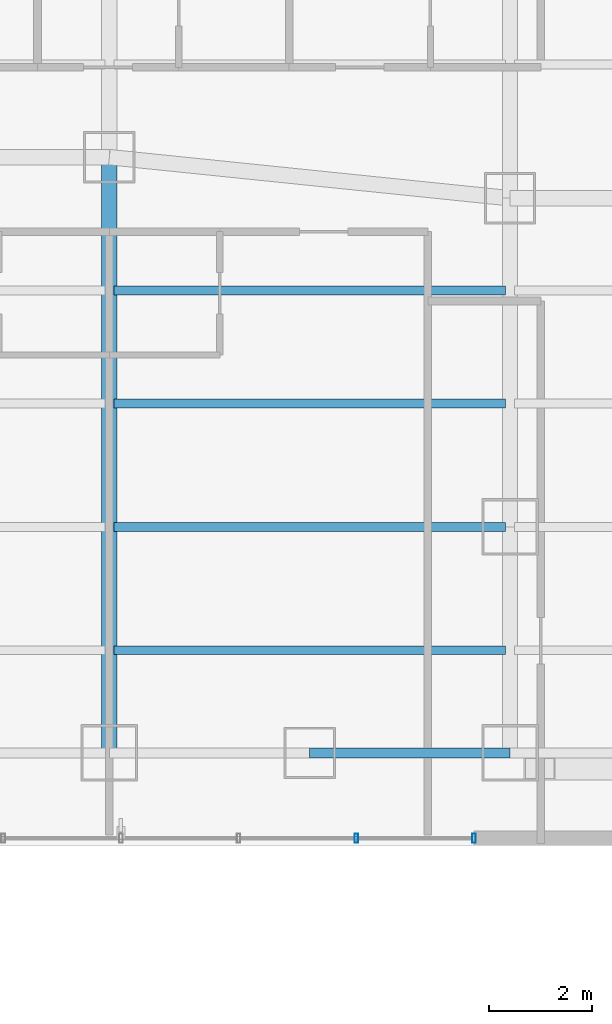
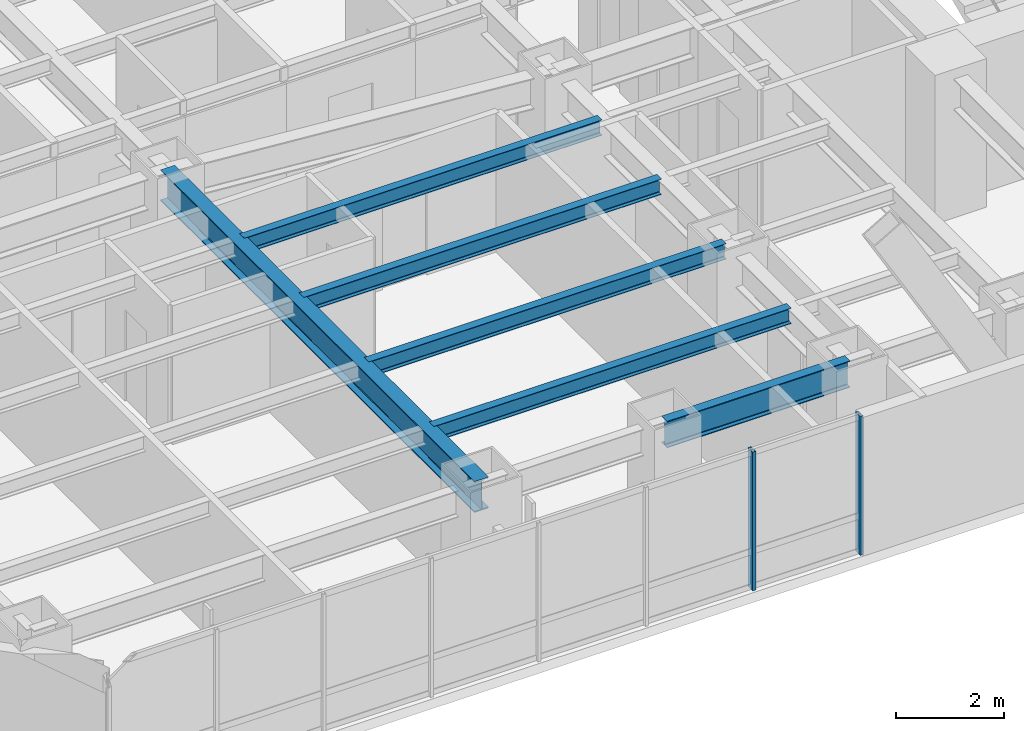
# One storey, part 6 of 32: 6 beams, 2 members, 1 element without a shape of its own.
"""IFC4 building model written with IfcOpenShell, lengths in metres."""

import ifcopenshell
import ifcopenshell.guid

model = None  # the IFC model being written
_history = None  # IfcOwnerHistory: only IFC2X3 demands one
_inside = {}  # id of a spatial element -> (the spatial element, [elements in it])
_under = {}  # id of a project, library or spatial element -> (it, [spatial elements below it])
_declared = {}  # id of a project -> (the project, [libraries it declares])
_typed = {}  # id of a type object -> (the type object, [elements of that type])
_made_of = {}  # id of a material, layer set ... -> (it, [elements and type objects made of it])


def new_model(schema):
    """Start an empty IFC model of exactly this schema.

    Asked for "IFC4X3", IfcOpenShell would pick the latest addendum, in which some entities
    have other attributes; the version numbers below select the first issue.
    IFC2X3 requires an IfcOwnerHistory on every rooted entity: one is made here for all.
    """
    global model, _history
    if schema == "IFC4X3":
        model = ifcopenshell.file(schema_version=(4, 3, 0, 0))
    else:
        model = ifcopenshell.file(schema=schema)
    _inside.clear()
    _under.clear()
    _declared.clear()
    _typed.clear()
    _made_of.clear()
    _history = None
    if model.schema == "IFC2X3":
        org = make("IfcOrganization", Name="unknown")
        user = make(
            "IfcPersonAndOrganization",
            ThePerson=make("IfcPerson", FamilyName="unknown"),
            TheOrganization=org,
        )
        app = make(
            "IfcApplication",
            ApplicationDeveloper=org,
            Version="unknown",
            ApplicationFullName="unknown",
            ApplicationIdentifier="unknown",
        )
        _history = make(
            "IfcOwnerHistory",
            OwningUser=user,
            OwningApplication=app,
            ChangeAction="ADDED",
            CreationDate=0,
        )
    return model


def make(cls, **values):
    """One entity of the class cls with the attributes given. An attribute that is None is left unset."""
    return model.create_entity(
        cls, **{name: value for name, value in values.items() if value is not None}
    )


def rooted(cls, **values):
    """An entity with a GlobalId (a new one), such as an element, a storey or a relation."""
    return make(cls, GlobalId=ifcopenshell.guid.new(), OwnerHistory=_history, **values)


def si_unit(unit_type, name, prefix=None):
    """IfcSIUnit, for example si_unit("LENGTHUNIT", "METRE", prefix="MILLI")."""
    return make("IfcSIUnit", UnitType=unit_type, Prefix=prefix, Name=name)


def assignment(units):
    """IfcUnitAssignment: the units of a project."""
    return None if units is None else make("IfcUnitAssignment", Units=units)


def point(xyz):
    """IfcCartesianPoint."""
    return None if xyz is None else make("IfcCartesianPoint", Coordinates=xyz)


def direction(xyz):
    """IfcDirection."""
    return None if xyz is None else make("IfcDirection", DirectionRatios=xyz)


def frame(location, z_axis=None, x_axis=None):
    """IfcAxis2Placement3D, a coordinate frame: its origin and axes. An axis left out is left unset."""
    return make(
        "IfcAxis2Placement3D",
        Location=point(location),
        Axis=direction(z_axis),
        RefDirection=direction(x_axis),
    )


def frame_2d(location, x_axis=None):
    """IfcAxis2Placement2D, a coordinate frame in the plane: its origin and x axis."""
    return make(
        "IfcAxis2Placement2D", Location=point(location), RefDirection=direction(x_axis)
    )


def origin():
    """The frame at (0, 0, 0) with its axes left unset."""
    return frame((0.0, 0.0, 0.0))


def origin_2d():
    """The frame at (0, 0) in the plane with its x axis left unset."""
    return frame_2d((0.0, 0.0))


def place(relative_to, where):
    """IfcLocalPlacement: puts the frame where relative to a parent placement (None: the world)."""
    return make(
        "IfcLocalPlacement", PlacementRelTo=relative_to, RelativePlacement=where
    )


def context(
    kind, dimensions, precision=None, world=None, true_north=None, identifier=None
):
    """IfcGeometricRepresentationContext, for example the 3D "Model" context."""
    return make(
        "IfcGeometricRepresentationContext",
        ContextIdentifier=identifier,
        ContextType=kind,
        CoordinateSpaceDimension=dimensions,
        Precision=precision,
        WorldCoordinateSystem=world,
        TrueNorth=true_north,
    )


def subcontext(parent, identifier, kind, view, scale=None):
    """IfcGeometricRepresentationSubContext, for example "Body" below "Model"."""
    return make(
        "IfcGeometricRepresentationSubContext",
        ContextIdentifier=identifier,
        ContextType=kind,
        ParentContext=parent,
        TargetScale=scale,
        TargetView=view,
    )


def project(units=None, contexts=None):
    """IfcProject with its units and contexts."""
    return rooted(
        "IfcProject",
        Name="project",
        RepresentationContexts=contexts,
        UnitsInContext=assignment(units),
    )


def spatial(cls, under=None, at=None, **own):
    """A site, building, storey or space (cls), placed at a placement, below another one or the project."""
    s = rooted(cls, ObjectPlacement=at, **own)
    if under is not None:
        _under.setdefault(under.id(), (under, []))[1].append(s)
    return s


def profile(cls, at=None, kind="AREA", **sizes):
    """A parametric profile (cls). Its sizes go by their IFC names, for example OverallWidth=200.0."""
    return make(cls, ProfileType=kind, Position=at, **sizes)


def hollow_rectangle(**sizes):
    """IfcRectangleHollowProfileDef."""
    return profile("IfcRectangleHollowProfileDef", **sizes)


def i_section(**sizes):
    """IfcIShapeProfileDef."""
    return profile("IfcIShapeProfileDef", **sizes)


def extrude(swept, where, along, depth):
    """IfcExtrudedAreaSolid: the profile swept, set in the frame where, extruded along a direction by depth."""
    return make(
        "IfcExtrudedAreaSolid",
        SweptArea=swept,
        Position=where,
        ExtrudedDirection=direction(along),
        Depth=depth,
    )


def shape(context_of_items, identifier, shape_type, items):
    """IfcShapeRepresentation: the items that make up one representation, for example the "Body"."""
    return make(
        "IfcShapeRepresentation",
        ContextOfItems=context_of_items,
        RepresentationIdentifier=identifier,
        RepresentationType=shape_type,
        Items=items,
    )


def material(Name=None, Category=None):
    """IfcMaterial."""
    return make("IfcMaterial", Name=Name, Category=Category)


def layer(
    of_material, thickness, ventilated=None, Name=None, Category=None, Priority=None
):
    """IfcMaterialLayer: one layer of a wall or slab, of a material (None: an air gap)."""
    return make(
        "IfcMaterialLayer",
        Material=of_material,
        LayerThickness=thickness,
        IsVentilated=ventilated,
        Name=Name,
        Category=Category,
        Priority=Priority,
    )


def layer_set(layers, Name=None):
    """IfcMaterialLayerSet."""
    return make("IfcMaterialLayerSet", MaterialLayers=layers, LayerSetName=Name)


def material_profile(
    of_material, cross_section, Name=None, Category=None, Priority=None
):
    """IfcMaterialProfile: a cross section and its material."""
    return make(
        "IfcMaterialProfile",
        Name=Name,
        Material=of_material,
        Profile=cross_section,
        Priority=Priority,
        Category=Category,
    )


def profile_set(profiles, Name=None, composite=None):
    """IfcMaterialProfileSet."""
    return make(
        "IfcMaterialProfileSet",
        Name=Name,
        MaterialProfiles=profiles,
        CompositeProfile=composite,
    )


def made_of(thing, what):
    """Note that an element or type object is made of a material, layer set ...; save() writes the relation."""
    if what is not None:
        _made_of.setdefault(what.id(), (what, []))[1].append(thing)
    return thing


def type_object(cls, material=None, **own):
    """A type object (cls), such as IfcWallType, which elements share."""
    return made_of(rooted(cls, **own), material)


def element(
    cls,
    number,
    at=None,
    inside=None,
    cuts=None,
    type_object=None,
    material=None,
    context=None,
    identifier="Body",
    shape_type=None,
    held_by="IfcProductDefinitionShape",
    body=None,
    shapes=None,
    **own,
):
    """One element of the class cls, such as IfcWall. Its Tag is "e" and its number.

    at: its placement. inside: the storey or other place that contains it. cuts: it is an
    opening in that element (IfcRelVoidsElement). A single representation is given by context,
    identifier, shape_type and body (its items); several are given by shapes. held_by: the class
    of the entity that holds the representations. save() writes the other relations.
    """
    e = rooted(cls, Tag="e%d" % number, ObjectPlacement=at, **own)
    if body is not None:
        shapes = [shape(context, identifier, shape_type, body)]
    if shapes is not None:
        e.Representation = make(held_by, Representations=shapes)
    if inside is not None:
        _inside.setdefault(inside.id(), (inside, []))[1].append(e)
    if cuts is not None:
        rooted(
            "IfcRelVoidsElement", RelatingBuildingElement=cuts, RelatedOpeningElement=e
        )
    if type_object is not None:
        _typed.setdefault(type_object.id(), (type_object, []))[1].append(e)
    return made_of(e, material)


def aggregate(whole, parts):
    """IfcRelAggregates: a whole, such as a stair, and the parts it consists of."""
    return rooted("IfcRelAggregates", RelatingObject=whole, RelatedObjects=parts)


def save(model, path):
    """Write the relations noted so far, then the file.

    IfcRelAggregates (storeys below a building ...), IfcRelContainedInSpatialStructure (elements
    in a storey), IfcRelDefinesByType, IfcRelAssociatesMaterial and IfcRelDeclares: one each for
    every whole, place, type object, material and project.
    """
    for whole, parts in _under.values():
        aggregate(whole, parts)
    for where, things in _inside.values():
        rooted(
            "IfcRelContainedInSpatialStructure",
            RelatedElements=things,
            RelatingStructure=where,
        )
    for kind, things in _typed.values():
        rooted("IfcRelDefinesByType", RelatedObjects=things, RelatingType=kind)
    for what, things in _made_of.values():
        rooted("IfcRelAssociatesMaterial", RelatedObjects=things, RelatingMaterial=what)
    for by, libraries in _declared.values():
        rooted("IfcRelDeclares", RelatingContext=by, RelatedDefinitions=libraries)
    model.write(path)


model = new_model("IFC4")

# Units and contexts
model_context = context("Model", 3, precision=1e-05, world=origin(), true_north=direction((0.0, 1.0)))
body_context = subcontext(model_context, "Body", "Model", "MODEL_VIEW")
ifc_project = project(units=[si_unit("LENGTHUNIT", "METRE"), si_unit("AREAUNIT", "SQUARE_METRE"), si_unit("VOLUMEUNIT", "CUBIC_METRE"), si_unit("PLANEANGLEUNIT", "RADIAN"), si_unit("MASSUNIT", "GRAM", prefix="KILO")], contexts=[model_context])

# Site, building, storey
site_placement = place(None, origin())
site = spatial("IfcSite", under=ifc_project, at=site_placement, CompositionType="ELEMENT")
building_placement = place(site_placement, origin())
building = spatial("IfcBuilding", under=site, at=building_placement, Name="Hatsunagi Terrace Concourse", CompositionType="ELEMENT")
storey_placement = place(building_placement, frame((0.0, 0.0, 46.64990234375)))
storey = spatial("IfcBuildingStorey", under=building, at=storey_placement, Name="L11", CompositionType="ELEMENT", Elevation=46.64990234375)

# Curtain wall, members
ifc_material_1 = material(Name="Anodised Aluminium Alloy 6063-T5", Category="aluminium")
ifc_layer = layer(ifc_material_1, 0.199951171875)
ifc_layer_set = layer_set([ifc_layer], Name="HotelFacade_CW02")
curtain_wall_type = type_object("IfcCurtainWallType", Name="HotelFacade_CW02", PredefinedType="NOTDEFINED", material=ifc_layer_set)
curtain_wall_placement = place(storey_placement, origin())
curtain_wall = element("IfcCurtainWall", 1, at=curtain_wall_placement, inside=storey, type_object=curtain_wall_type, Name="Unitised Curtain Wall CW-02 CW-L11-07", PredefinedType="NOTDEFINED")
ifc_material_2 = material(Name="Anodised Aluminium Alloy 6063-T5", Category="aluminium")
ifc_material_profile_1 = material_profile(ifc_material_2, hollow_rectangle(XDim=0.070068359375, YDim=0.179931640625, WallThickness=0.00390625, at=origin_2d()), Name="ALU-MUL-180x70x4")
ifc_profile_set_1 = profile_set([ifc_material_profile_1], Name="Anodised Aluminium Alloy 6063-T5")
member_type = type_object("IfcMemberType", Name="CurtainWallMullion_180x70", PredefinedType="MULLION", material=ifc_profile_set_1)
member_1_placement = place(storey_placement, frame((18.5, 23.5400390625, 0.0), z_axis=(0.0, 0.0, 1.0), x_axis=(-1.0, 0.0, 0.0)))
member_1 = element("IfcMember", 2, at=member_1_placement, type_object=member_type, Name="Curtain Wall Mullion MUL-02", PredefinedType="MULLION", context=body_context, shape_type="SweptSolid", body=[
    extrude(hollow_rectangle(XDim=0.070068359375, YDim=0.179931640625, WallThickness=0.00390625, at=origin_2d()), origin(), (0.0, 0.0, 1.0), 3.130126953125),
])
member_2_placement = place(storey_placement, frame((16.2080078125, 23.5400390625, 0.0), z_axis=(0.0, 0.0, 1.0), x_axis=(-1.0, 0.0, 0.0)))
member_2 = element("IfcMember", 3, at=member_2_placement, type_object=member_type, Name="Curtain Wall Mullion MUL-02", PredefinedType="MULLION", context=body_context, shape_type="SweptSolid", body=[
    extrude(hollow_rectangle(XDim=0.070068359375, YDim=0.179931640625, WallThickness=0.00390625, at=origin_2d()), origin(), (0.0, 0.0, 1.0), 3.130126953125),
])
aggregate(curtain_wall, [member_1, member_2])

# Beams
ifc_material_3 = material(Name="Steel SN490B", Category="steel")
ifc_material_profile_2 = material_profile(ifc_material_3, i_section(OverallWidth=0.300048828125, OverallDepth=0.699951171875, WebThickness=0.012939453125, FlangeThickness=0.02392578125, FilletRadius=0.02197265625, at=origin_2d()), Name="H-700x300x13x24")
ifc_profile_set_2 = profile_set([ifc_material_profile_2], Name="Steel SN490B")
beam_type_1 = type_object("IfcBeamType", Name="HotelFloorGirder_H_700x300", PredefinedType="BEAM", material=ifc_profile_set_2)
beam_1_placement = place(storey_placement, frame((11.39990234375, 25.199951171875, 2.780029296875), z_axis=(0.0, 1.0, 0.0), x_axis=(-1.0, 0.0, 0.0)))
element("IfcBeam", 4, at=beam_1_placement, inside=storey, type_object=beam_type_1, Name="Beam G-04 BM-L11-NS-11-25", PredefinedType="BEAM", context=body_context, shape_type="SweptSolid", body=[
    extrude(i_section(OverallWidth=0.300048828125, OverallDepth=0.699951171875, WebThickness=0.012939453125, FlangeThickness=0.02392578125, FilletRadius=0.02197265625, at=origin_2d()), origin(), (0.0, 0.0, 1.0), 11.60009765625),
])
ifc_material_4 = material(Name="Steel SN490B", Category="steel")
ifc_material_profile_3 = material_profile(ifc_material_4, i_section(OverallWidth=0.175048828125, OverallDepth=0.35009765625, WebThickness=0.007080078125, FlangeThickness=0.010986328125, FilletRadius=0.012939453125, at=origin_2d()), Name="H-350x175x7x11")
ifc_profile_set_3 = profile_set([ifc_material_profile_3], Name="Steel SN490B")
beam_type_2 = type_object("IfcBeamType", Name="HotelJoist_H_350x175", PredefinedType="JOIST", material=ifc_profile_set_3)
for number, where, z_axis, x_axis, name in (
    (5, (11.485107421875, 27.199951171875, 2.955078125), (1.0, 0.0, 0.0), (0.0, 1.0, 0.0), "Beam J-02 J-L11-W-11-272"),
    (6, (11.485107421875, 29.60009765625, 2.955078125), (1.0, 0.0, 0.0), (0.0, 1.0, 0.0), "Beam J-02 J-L11-W-11-296"),
    (7, (11.485107421875, 32.0, 2.955078125), (1.0, 0.0, 0.0), (0.0, 1.0, 0.0), "Beam J-02 J-L11-W-11-320"),
    (8, (11.485107421875, 34.199951171875, 2.955078125), (1.0, 0.0, 0.0), (0.0, 1.0, 0.0), "Beam J-02 J-L11-W-11-342"),
):
    element("IfcBeam", number, at=place(storey_placement, frame(where, z_axis=z_axis, x_axis=x_axis)), inside=storey, type_object=beam_type_2, Name=name, PredefinedType="JOIST", context=body_context, shape_type="SweptSolid", body=[
        extrude(i_section(OverallWidth=0.175048828125, OverallDepth=0.35009765625, WebThickness=0.007080078125, FlangeThickness=0.010986328125, FilletRadius=0.012939453125, at=origin_2d()), origin(), (0.0, 0.0, 1.0), 7.6298828125),
    ])
ifc_material_5 = material(Name="Steel SN490B", Category="steel")
ifc_material_profile_4 = material_profile(ifc_material_5, i_section(OverallWidth=0.199951171875, OverallDepth=0.60009765625, WebThickness=0.010986328125, FlangeThickness=0.01708984375, FilletRadius=0.01806640625, at=origin_2d()), Name="H-600x200x11x17")
ifc_profile_set_4 = profile_set([ifc_material_profile_4], Name="Steel SN490B")
beam_type_3 = type_object("IfcBeamType", Name="PerimeterSpandrel_H_600x200", PredefinedType="SPANDREL", material=ifc_profile_set_4)
beam_2_placement = place(storey_placement, frame((15.300048828125, 25.199951171875, 2.830078125), z_axis=(1.0, 0.0, 0.0), x_axis=(0.0, 1.0, 0.0)))
element("IfcBeam", 9, at=beam_2_placement, inside=storey, type_object=beam_type_3, Name="Beam SP-01 BM-L11-WS-15", PredefinedType="SPANDREL", context=body_context, shape_type="SweptSolid", body=[
    extrude(i_section(OverallWidth=0.199951171875, OverallDepth=0.60009765625, WebThickness=0.010986328125, FlangeThickness=0.01708984375, FilletRadius=0.01806640625, at=origin_2d()), origin(), (0.0, 0.0, 1.0), 3.89990234375),
])

save(model, "model.ifc")
